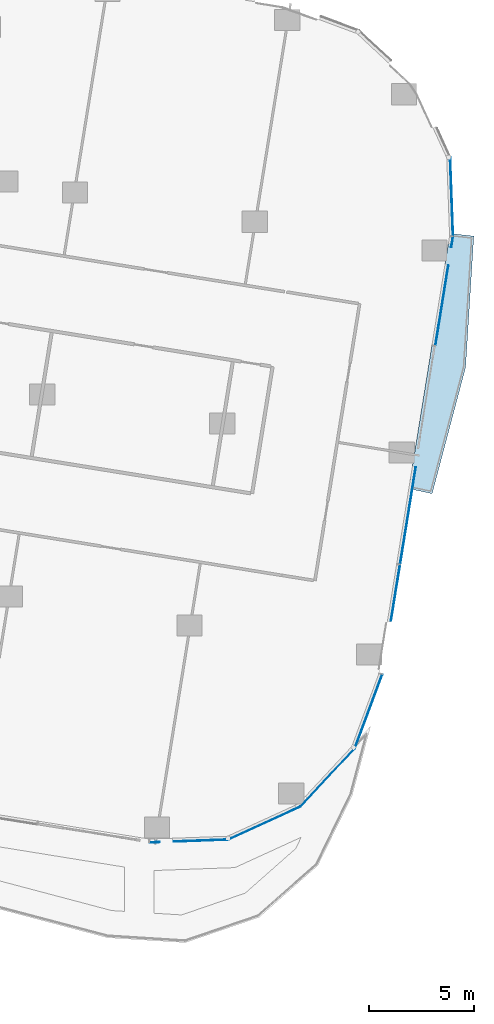
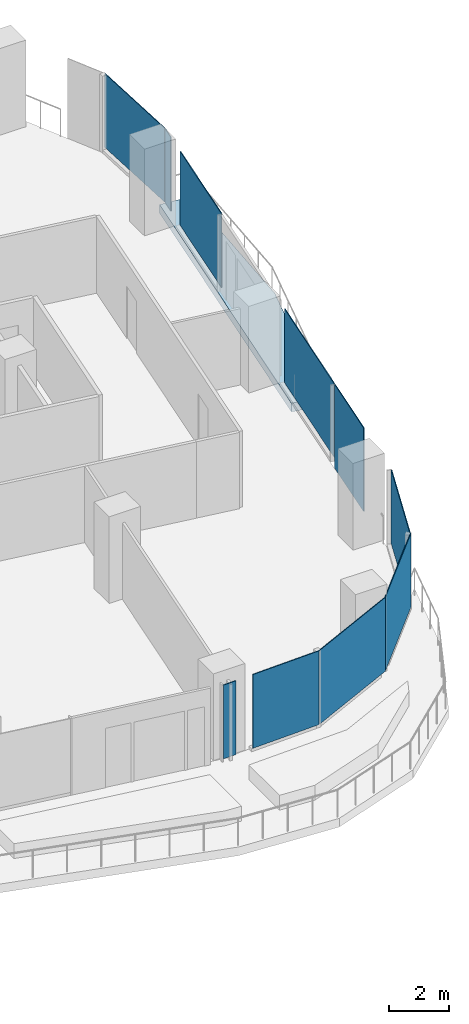
# One storey, part 20 of 32: 10 plates, 1 slab, 6 elements without a shape of their own.
"""IFC4 building model written with IfcOpenShell, lengths in metres."""

from ifc_helpers import new_model, si_unit, direction, frame, origin, origin_2d, place, context, subcontext, project, spatial, polyline, rectangle, outline, extrude, material, layer, layer_set, type_object, element, aggregate, save


model = new_model("IFC4")

# Units and contexts
model_context = context("Model", 3, precision=1e-05, world=origin(), true_north=direction((0.0, 1.0)))
body_context = subcontext(model_context, "Body", "Model", "MODEL_VIEW")
ifc_project = project(units=[si_unit("LENGTHUNIT", "METRE"), si_unit("AREAUNIT", "SQUARE_METRE"), si_unit("VOLUMEUNIT", "CUBIC_METRE"), si_unit("PLANEANGLEUNIT", "RADIAN"), si_unit("MASSUNIT", "GRAM", prefix="KILO")], contexts=[model_context])

# Site, building, storey
site_placement = place(None, origin())
site = spatial("IfcSite", under=ifc_project, at=site_placement, CompositionType="ELEMENT")
building_placement = place(site_placement, origin())
building = spatial("IfcBuilding", under=site, at=building_placement, Name="Orlundy Tower", CompositionType="ELEMENT")
storey_placement = place(building_placement, frame((0.0, 0.0, 123.699951171875)))
storey = spatial("IfcBuildingStorey", under=building, at=storey_placement, Name="L31", CompositionType="ELEMENT", Elevation=123.699951171875)

# Curtain wall, plate
ifc_material_1 = material(Name="Aluminium bronze anodised", Category="aluminium")
curtain_wall_type = type_object("IfcCurtainWallType", Name="CW1 wall", PredefinedType="NOTDEFINED", material=ifc_material_1)
curtain_wall_1_placement = place(storey_placement, origin())
curtain_wall_1 = element("IfcCurtainWall", 1, at=curtain_wall_1_placement, inside=storey, type_object=curtain_wall_type, Name="CW1 run 010", PredefinedType="NOTDEFINED")
ifc_material_2 = material(Name="Tinted glass", Category="glass")
ifc_layer_1 = layer(ifc_material_2, 0.031982421875)
ifc_layer_set_1 = layer_set([ifc_layer_1], Name="CW1 glass panel 32")
plate_type = type_object("IfcPlateType", Name="CW1 glass panel 32", PredefinedType="CURTAIN_PANEL", material=ifc_layer_set_1)
plate_1_placement = place(storey_placement, frame((60.508544921875, 2.765625, 0.1201171875), z_axis=(0.0, 0.0, 1.0), x_axis=(0.036422900353, -0.999336466026, 0.0)))
plate_1 = element("IfcPlate", 2, at=plate_1_placement, type_object=plate_type, Name="CW1 panel", PredefinedType="CURTAIN_PANEL", context=body_context, shape_type="SweptSolid", body=[
    extrude(rectangle(XDim=3.730224609375, YDim=0.031982421875, at=origin_2d()), origin(), (0.0, 0.0, 1.0), 2.97998046875),
])
aggregate(curtain_wall_1, [plate_1])

# Curtain wall, plates
curtain_wall_2_placement = place(storey_placement, origin())
curtain_wall_2 = element("IfcCurtainWall", 3, at=curtain_wall_2_placement, inside=storey, type_object=curtain_wall_type, Name="CW1 run 011", PredefinedType="NOTDEFINED")
plate_2_placement = place(storey_placement, frame((60.533203125, 0.602783203125, 0.1201171875), z_axis=(0.0, 0.0, 1.0), x_axis=(-0.159331248677, -0.987225178566, 0.0)))
plate_2 = element("IfcPlate", 4, at=plate_2_placement, type_object=plate_type, Name="CW1 panel", PredefinedType="CURTAIN_PANEL", context=body_context, shape_type="SweptSolid", body=[
    extrude(rectangle(XDim=0.505126953125, YDim=0.031982421875, at=origin_2d()), origin(), (0.0, 0.0, 1.0), 2.97998046875),
])
plate_3_placement = place(storey_placement, frame((60.04833984375, -2.40234375, 0.1201171875), z_axis=(0.0, 0.0, 1.0), x_axis=(-0.159331248677, -0.987225178566, 0.0)))
plate_3 = element("IfcPlate", 5, at=plate_3_placement, type_object=plate_type, Name="CW1 panel", PredefinedType="CURTAIN_PANEL", context=body_context, shape_type="SweptSolid", body=[
    extrude(rectangle(XDim=3.839599609375, YDim=0.031982421875, at=origin_2d()), origin(), (0.0, 0.0, 1.0), 2.97998046875),
])
plate_4_placement = place(storey_placement, frame((58.43896484375, -12.373291015625, 0.1201171875), z_axis=(0.0, 0.0, 1.0), x_axis=(-0.159331248677, -0.987225178566, 0.0)))
plate_4 = element("IfcPlate", 6, at=plate_4_placement, type_object=plate_type, Name="CW1 panel", PredefinedType="CURTAIN_PANEL", context=body_context, shape_type="SweptSolid", body=[
    extrude(rectangle(XDim=4.6396484375, YDim=0.031982421875, at=origin_2d()), origin(), (0.0, 0.0, 1.0), 2.97998046875),
])
plate_5_placement = place(storey_placement, frame((57.84814453125, -16.034912109375, -0.27978515625), z_axis=(0.0, 0.0, 1.0), x_axis=(-0.159331248677, -0.987225178566, 0.0)))
plate_5 = element("IfcPlate", 7, at=plate_5_placement, type_object=plate_type, Name="CW1 panel", PredefinedType="CURTAIN_PANEL", context=body_context, shape_type="SweptSolid", body=[
    extrude(rectangle(XDim=2.67822265625, YDim=0.031982421875, at=origin_2d()), origin(), (0.0, 0.0, 1.0), 3.3798828125),
])
aggregate(curtain_wall_2, [plate_2, plate_3, plate_4, plate_5])

# Curtain wall, plate
curtain_wall_3_placement = place(storey_placement, origin())
curtain_wall_3 = element("IfcCurtainWall", 8, at=curtain_wall_3_placement, inside=storey, type_object=curtain_wall_type, Name="CW1 run 012", PredefinedType="NOTDEFINED")
plate_6_placement = place(storey_placement, frame((56.56689453125, -21.65869140625, 0.1201171875), z_axis=(0.0, 0.0, 1.0), x_axis=(-0.348816372674, -0.937191089455, 0.0)))
plate_6 = element("IfcPlate", 9, at=plate_6_placement, type_object=plate_type, Name="CW1 panel", PredefinedType="CURTAIN_PANEL", context=body_context, shape_type="SweptSolid", body=[
    extrude(rectangle(XDim=3.73046875, YDim=0.031982421875, at=origin_2d()), origin(), (0.0, 0.0, 1.0), 2.97998046875),
])
aggregate(curtain_wall_3, [plate_6])

curtain_wall_4_placement = place(storey_placement, origin())
curtain_wall_4 = element("IfcCurtainWall", 10, at=curtain_wall_4_placement, inside=storey, type_object=curtain_wall_type, Name="CW1 run 013", PredefinedType="NOTDEFINED")
plate_7_placement = place(storey_placement, frame((54.632080078125, -24.78759765625, 0.1201171875), z_axis=(0.0, 0.0, 1.0), x_axis=(-0.681009748469, -0.732274349196, 0.0)))
plate_7 = element("IfcPlate", 11, at=plate_7_placement, type_object=plate_type, Name="CW1 panel", PredefinedType="CURTAIN_PANEL", context=body_context, shape_type="SweptSolid", body=[
    extrude(rectangle(XDim=3.771484375, YDim=0.031982421875, at=origin_2d()), origin(), (0.0, 0.0, 1.0), 2.97998046875),
])
aggregate(curtain_wall_4, [plate_7])

curtain_wall_5_placement = place(storey_placement, origin())
curtain_wall_5 = element("IfcCurtainWall", 12, at=curtain_wall_5_placement, inside=storey, type_object=curtain_wall_type, Name="CW1 run 014", PredefinedType="NOTDEFINED")
plate_8_placement = place(storey_placement, frame((51.63330078125, -26.953125, 0.1201171875), z_axis=(0.0, 0.0, 1.0), x_axis=(-0.909328663876, -0.416078575575, 0.0)))
plate_8 = element("IfcPlate", 13, at=plate_8_placement, type_object=plate_type, Name="CW1 panel", PredefinedType="CURTAIN_PANEL", context=body_context, shape_type="SweptSolid", body=[
    extrude(rectangle(XDim=3.771240234375, YDim=0.031982421875, at=origin_2d()), origin(), (0.0, 0.0, 1.0), 2.97998046875),
])
aggregate(curtain_wall_5, [plate_8])

# Curtain wall, plates
curtain_wall_6_placement = place(storey_placement, origin())
curtain_wall_6 = element("IfcCurtainWall", 14, at=curtain_wall_6_placement, inside=storey, type_object=curtain_wall_type, Name="CW1 run 015", PredefinedType="NOTDEFINED")
plate_9_placement = place(storey_placement, frame((48.626708984375, -27.78466796875, 0.1201171875), z_axis=(0.0, 0.0, 1.0), x_axis=(-0.999336823804, -0.036413082656, 0.0)))
plate_9 = element("IfcPlate", 15, at=plate_9_placement, type_object=plate_type, Name="CW1 panel", PredefinedType="CURTAIN_PANEL", context=body_context, shape_type="SweptSolid", body=[
    extrude(rectangle(XDim=2.585205078125, YDim=0.031982421875, at=origin_2d()), origin(), (0.0, 0.0, 1.0), 2.97998046875),
])
plate_10_placement = place(storey_placement, frame((46.430908203125, -27.86474609375, 0.1201171875), z_axis=(0.0, 0.0, 1.0), x_axis=(-0.999336823804, -0.036413082656, 0.0)))
plate_10 = element("IfcPlate", 16, at=plate_10_placement, type_object=plate_type, Name="CW1 panel", PredefinedType="CURTAIN_PANEL", context=body_context, shape_type="SweptSolid", body=[
    extrude(rectangle(XDim=0.482421875, YDim=0.031982421875, at=origin_2d()), origin(), (0.0, 0.0, 1.0), 2.97998046875),
])
aggregate(curtain_wall_6, [plate_9, plate_10])

# Slab
ifc_material_3 = material(Name="Concrete C45/55", Category="concrete")
ifc_layer_2 = layer(ifc_material_3, 0.35009765625)
ifc_layer_set_2 = layer_set([ifc_layer_2], Name="TERRACE SLAB 350 C45/55")
slab_type = type_object("IfcSlabType", Name="TERRACE SLAB 350 C45/55", PredefinedType="ROOF", material=ifc_layer_set_2)
slab_placement = place(storey_placement, frame((0.0, 0.0, -0.349853515625)))
element("IfcSlab", 17, at=slab_placement, inside=storey, type_object=slab_type, Name="Terrace slab L31-1", PredefinedType="ROOF", context=body_context, shape_type="SweptSolid", body=[
    extrude(outline(polyline([(59.5849609375, -11.3291015625), (58.47900390625, -11.093017578125), (60.43310546875, 1.010986328125), (61.56201171875, 0.885009765625), (61.172119140625, -5.337890625), (59.5849609375, -11.3291015625)])), origin(), (0.0, 0.0, 1.0), 0.349853515625),
])

save(model, "model.ifc")
